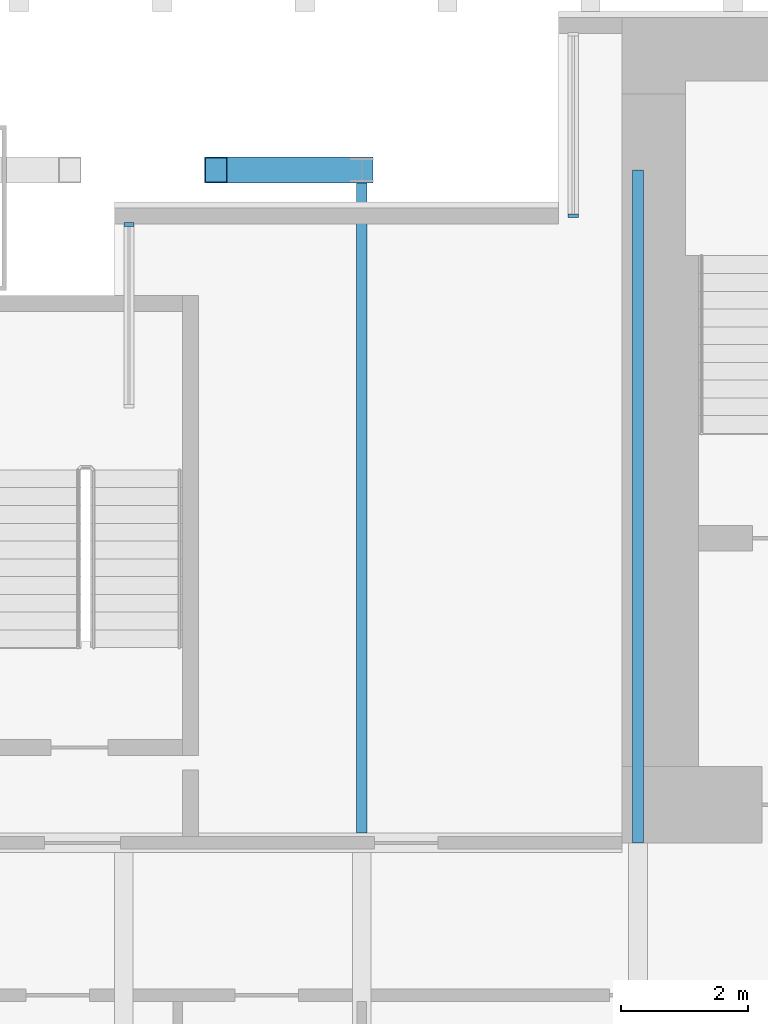
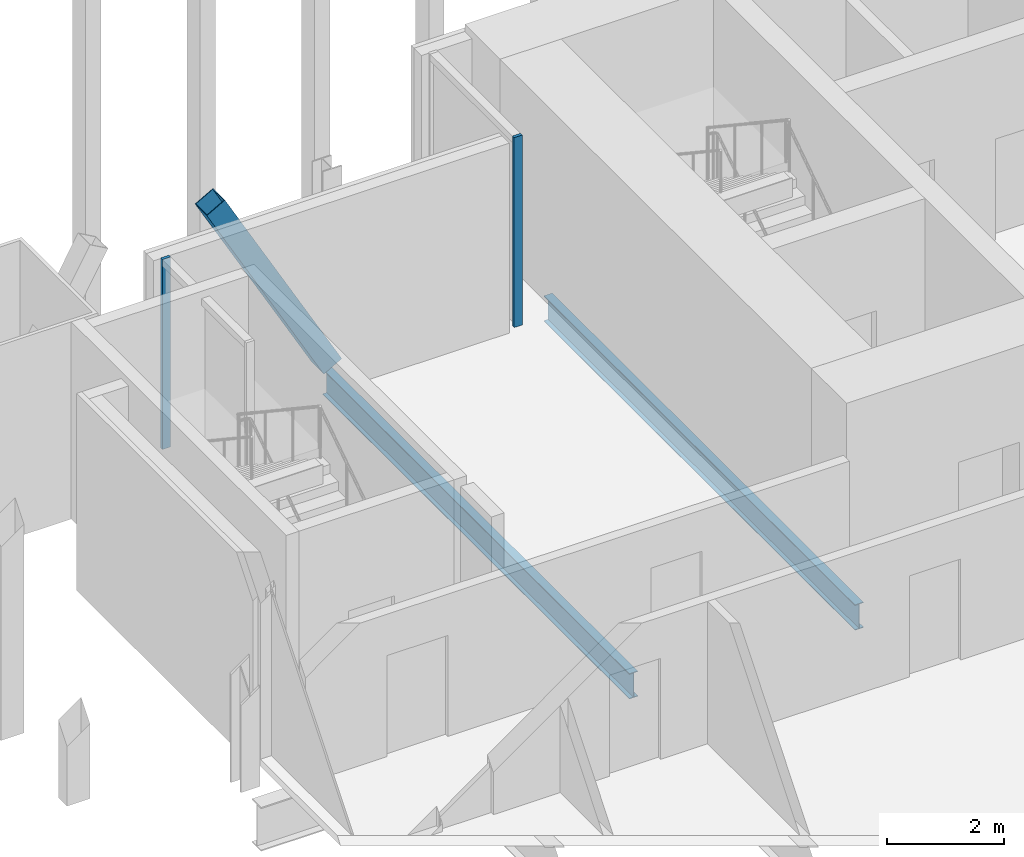
# One storey, part 11 of 29: 3 members, 2 beams, 2 elements without a shape of their own.
"""IFC4 building model written with IfcOpenShell, lengths in metres."""

from ifc_helpers import new_model, si_unit, direction, frame, origin, origin_2d, place, context, subcontext, project, spatial, rectangle, hollow_rectangle, i_section, extrude, material, material_profile, profile_set, type_object, element, aggregate, save


model = new_model("IFC4")

# Units and contexts
model_context = context("Model", 3, precision=1e-05, world=origin(), true_north=direction((0.0, 1.0)))
body_context = subcontext(model_context, "Body", "Model", "MODEL_VIEW")
ifc_project = project(units=[si_unit("LENGTHUNIT", "METRE"), si_unit("AREAUNIT", "SQUARE_METRE"), si_unit("VOLUMEUNIT", "CUBIC_METRE"), si_unit("PLANEANGLEUNIT", "RADIAN"), si_unit("MASSUNIT", "GRAM", prefix="KILO")], contexts=[model_context])

# Site, building, storey
site_placement = place(None, origin())
site = spatial("IfcSite", under=ifc_project, at=site_placement, CompositionType="ELEMENT")
building_placement = place(site_placement, origin())
building = spatial("IfcBuilding", under=site, at=building_placement, Name="Bicima Exchange Tower", CompositionType="ELEMENT")
storey_placement = place(building_placement, frame((0.0, 0.0, 190.89990234375)))
storey = spatial("IfcBuildingStorey", under=building, at=storey_placement, Name="L42", CompositionType="ELEMENT", Elevation=190.89990234375)

# Beams
ifc_material_1 = material(Name="Steel ASTM A992 Gr 50", Category="steel")
ifc_material_profile_1 = material_profile(ifc_material_1, i_section(OverallWidth=0.165771484375, OverallDepth=0.5283203125, WebThickness=0.009765625, FlangeThickness=0.013671875, at=origin_2d()))
ifc_profile_set_1 = profile_set([ifc_material_profile_1], Name="Steel ASTM A992 Gr 50")
beam_type = type_object("IfcBeamType", Name="Floor beam W21x50", PredefinedType="JOIST", material=ifc_profile_set_1)
beam_1_placement = place(storey_placement, frame((-26.10009765625, -2.39990234375, -0.4140625), z_axis=(0.0, -1.0, 0.0), x_axis=(1.0, 0.0, 0.0)))
element("IfcBeam", 1, at=beam_1_placement, inside=storey, type_object=beam_type, Name="Floor beam", PredefinedType="JOIST", context=body_context, shape_type="SweptSolid", body=[
    extrude(i_section(OverallWidth=0.165771484375, OverallDepth=0.5283203125, WebThickness=0.009765625, FlangeThickness=0.013671875, at=origin_2d()), origin(), (0.0, 0.0, 1.0), 10.44775390625),
])
beam_2_placement = place(storey_placement, frame((-21.75, -2.39990234375, -0.4140625), z_axis=(0.0, -1.0, 0.0), x_axis=(1.0, 0.0, 0.0)))
element("IfcBeam", 2, at=beam_2_placement, inside=storey, type_object=beam_type, Name="Floor beam", PredefinedType="JOIST", context=body_context, shape_type="SweptSolid", body=[
    extrude(i_section(OverallWidth=0.165771484375, OverallDepth=0.5283203125, WebThickness=0.009765625, FlangeThickness=0.013671875, at=origin_2d()), origin(), (0.0, 0.0, 1.0), 10.60009765625),
])

# Curtain wall, member
ifc_material_2 = material(Name="Anodised bronze aluminium", Category="aluminium")
curtain_wall_type = type_object("IfcCurtainWallType", Name="Front glass wall", PredefinedType="NOTDEFINED", material=ifc_material_2)
curtain_wall_1_placement = place(storey_placement, origin())
curtain_wall_1 = element("IfcCurtainWall", 3, at=curtain_wall_1_placement, inside=storey, type_object=curtain_wall_type, Name="Front glass wall L42 run 4", PredefinedType="NOTDEFINED")
ifc_material_profile_2 = material_profile(ifc_material_2, rectangle(XDim=0.159912109375, YDim=0.06005859375, at=origin_2d()))
ifc_profile_set_2 = profile_set([ifc_material_profile_2], Name="Anodised bronze aluminium")
member_type_1 = type_object("IfcMemberType", Name="Front glass wall mullion 60 x 160", PredefinedType="MULLION", material=ifc_profile_set_2)
member_1_placement = place(storey_placement, frame((-22.77001953125, -3.1201171875, 0.0), z_axis=(0.0, 0.0, 1.0), x_axis=(1.0, 0.0, 0.0)))
member_1 = element("IfcMember", 4, at=member_1_placement, type_object=member_type_1, Name="Front glass wall mullion 2", PredefinedType="MULLION", context=body_context, shape_type="SweptSolid", body=[
    extrude(rectangle(XDim=0.159912109375, YDim=0.06005859375, at=origin_2d()), origin(), (0.0, 0.0, 1.0), 3.9501953125),
])
aggregate(curtain_wall_1, [member_1])

curtain_wall_2_placement = place(storey_placement, origin())
curtain_wall_2 = element("IfcCurtainWall", 5, at=curtain_wall_2_placement, inside=storey, type_object=curtain_wall_type, Name="Front glass wall L42 run 5", PredefinedType="NOTDEFINED")
member_2_placement = place(storey_placement, frame((-29.77001953125, -3.260009765625, 0.0), z_axis=(0.0, 0.0, 1.0), x_axis=(1.0, 0.0, 0.0)))
member_2 = element("IfcMember", 6, at=member_2_placement, type_object=member_type_1, Name="Front glass wall mullion 1", PredefinedType="MULLION", context=body_context, shape_type="SweptSolid", body=[
    extrude(rectangle(XDim=0.159912109375, YDim=0.06005859375, at=origin_2d()), origin(), (0.0, 0.0, 1.0), 3.9501953125),
])
aggregate(curtain_wall_2, [member_2])

# Member
ifc_material_3 = material(Name="Steel ASTM A572 Gr 50", Category="steel")
ifc_material_profile_3 = material_profile(ifc_material_3, hollow_rectangle(XDim=0.406494140625, YDim=0.406494140625, WallThickness=0.0146484375, at=origin_2d()))
ifc_profile_set_3 = profile_set([ifc_material_profile_3], Name="Steel ASTM A572 Gr 50")
member_type_2 = type_object("IfcMemberType", Name="Mega brace HSS16x16x5/8", PredefinedType="BRACE", material=ifc_profile_set_3)
member_3_placement = place(storey_placement, frame((-26.10009765625, -2.39990234375, 0.0), z_axis=(-0.489210508179, 0.0, 0.872165740377), x_axis=(0.0, -1.0, 0.0)))
element("IfcMember", 7, at=member_3_placement, inside=storey, type_object=member_type_2, Name="Mega brace rear", PredefinedType="BRACE", context=body_context, shape_type="SweptSolid", body=[
    extrude(hollow_rectangle(XDim=0.406494140625, YDim=0.406494140625, WallThickness=0.0146484375, at=origin_2d()), origin(), (0.0, 0.0, 1.0), 4.701171875),
])

save(model, "model.ifc")
